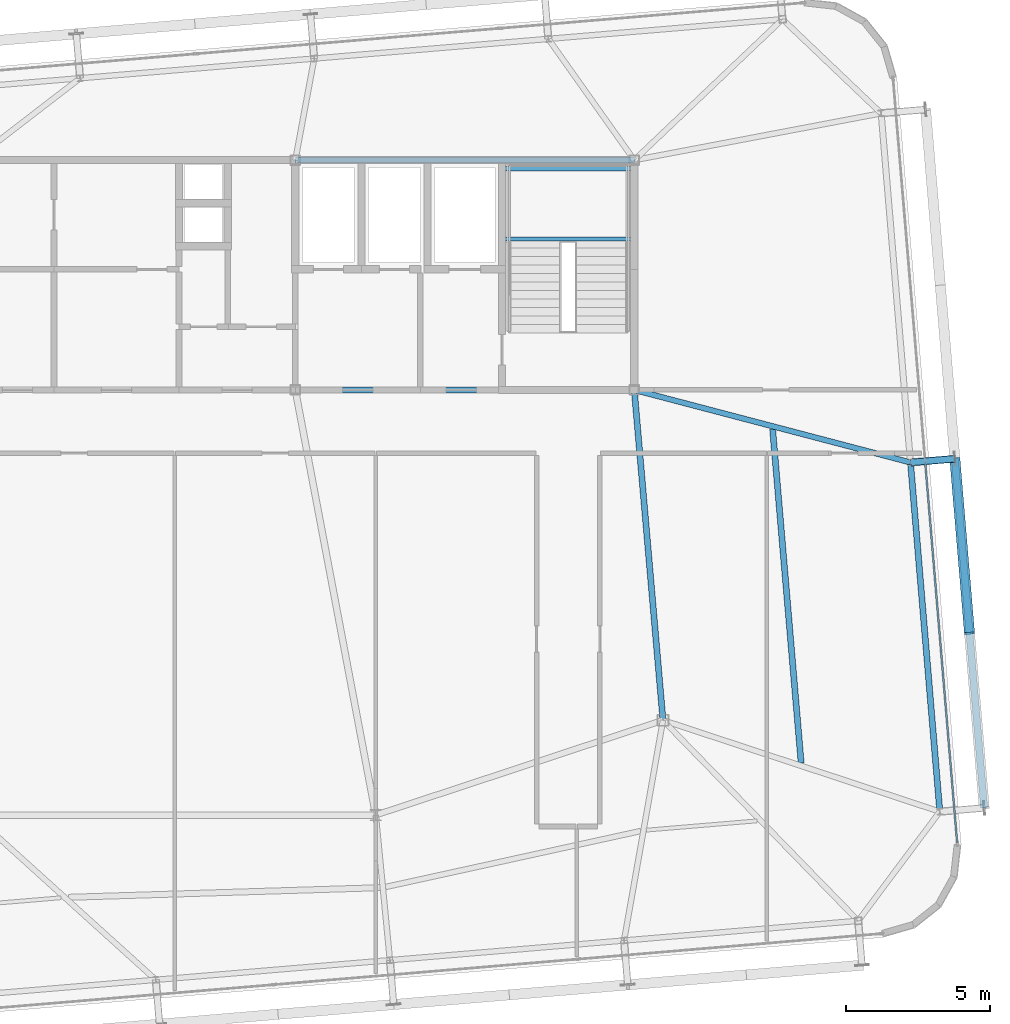
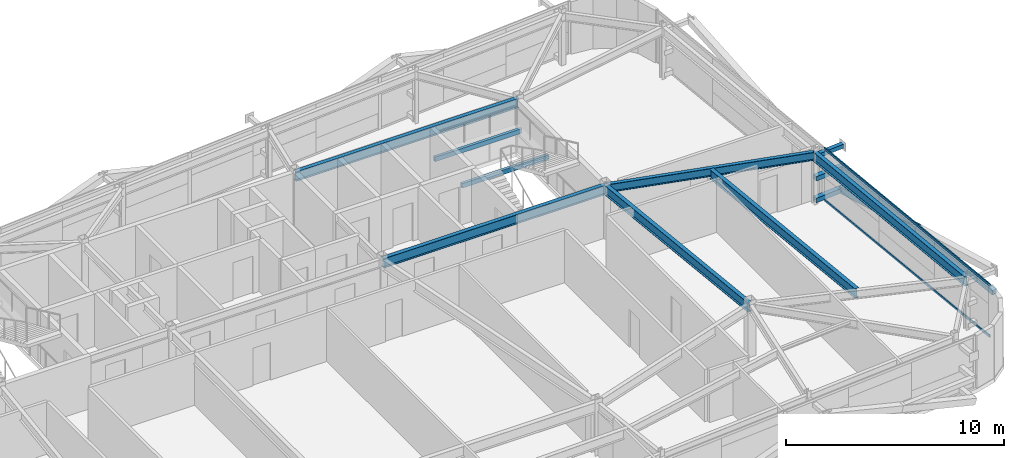
# One storey, part 19 of 37: 8 beams, 7 members, 1 element without a shape of its own.
"""IFC4 building model written with IfcOpenShell, lengths in metres."""

from ifc_helpers import new_model, si_unit, direction, frame, origin, origin_2d, place, context, subcontext, project, spatial, hollow_rectangle, i_section, extrude, source, transform, mapped, material, layer, layer_set, material_profile, profile_set, type_object, element, aggregate, save


model = new_model("IFC4")

# Units and contexts
model_context = context("Model", 3, precision=1e-05, world=origin(), true_north=direction((0.0, 1.0)))
body_context = subcontext(model_context, "Body", "Model", "MODEL_VIEW")
ifc_project = project(units=[si_unit("LENGTHUNIT", "METRE"), si_unit("AREAUNIT", "SQUARE_METRE"), si_unit("VOLUMEUNIT", "CUBIC_METRE"), si_unit("PLANEANGLEUNIT", "RADIAN"), si_unit("MASSUNIT", "GRAM", prefix="KILO")], contexts=[model_context])

# Site, building, storey
site_placement = place(None, origin())
site = spatial("IfcSite", under=ifc_project, at=site_placement, CompositionType="ELEMENT")
building_placement = place(site_placement, origin())
building = spatial("IfcBuilding", under=site, at=building_placement, Name="Taldren Reach Tower", CompositionType="ELEMENT")
storey_placement = place(building_placement, frame((0.0, 0.0, 182.0)))
storey = spatial("IfcBuildingStorey", under=building, at=storey_placement, Name="L55", CompositionType="ELEMENT", Elevation=182.0)

# Beams
ifc_material_1 = material(Name="Steel Gr 350 (350PLUS)", Category="steel")
ifc_material_profile_1 = material_profile(ifc_material_1, i_section(OverallWidth=0.208984375, OverallDepth=0.532958984375, WebThickness=0.01025390625, FlangeThickness=0.015625, at=origin_2d()), Name="530UB92.4")
ifc_profile_set_1 = profile_set([ifc_material_profile_1], Name="Steel Gr 350 (350PLUS)")
beam_type_1 = type_object("IfcBeamType", Name="BM-UB530A", PredefinedType="BEAM", material=ifc_profile_set_1)
shared_shape_1 = source(origin(), body_context, "Body", "SweptSolid", [
    extrude(i_section(OverallWidth=0.208984375, OverallDepth=0.532958984375, WebThickness=0.01025390625, FlangeThickness=0.015625, at=origin_2d()), origin(), (0.0, 0.0, 1.0), 11.800048828125),
])
for number, where, z_axis, x_axis, name in (
    (1, (39.199951171875, 24.0, 2.66357421875), (1.0, 0.0, 0.0), (0.0, 1.0, 0.0), "Core-spine girder L55-SP03"),
    (2, (39.199951171875, 32.0, 2.66357421875), (1.0, 0.0, 0.0), (0.0, 1.0, 0.0), "Core-spine girder L55-SP06"),
):
    element("IfcBeam", number, at=place(storey_placement, frame(where, z_axis=z_axis, x_axis=x_axis)), inside=storey, type_object=beam_type_1, Name=name, PredefinedType="BEAM", context=body_context, shape_type="MappedRepresentation", body=[
        mapped(shared_shape_1, transform((0.0, 0.0, 0.0), scale=1.0)),
    ])
shared_shape_2 = source(origin(), body_context, "Body", "SweptSolid", [
    extrude(i_section(OverallWidth=0.208984375, OverallDepth=0.532958984375, WebThickness=0.01025390625, FlangeThickness=0.015625, at=origin_2d()), origin(), (0.0, 0.0, 1.0), 11.54345703125),
])
beam_1_placement = place(storey_placement, frame((52.0, 12.5, 2.66357421875), z_axis=(-0.086629616365, 0.996240588196, 0.0), x_axis=(-0.996240588196, -0.086629616365, 0.0)))
element("IfcBeam", 3, at=beam_1_placement, inside=storey, type_object=beam_type_1, Name="Core-spine girder L55-SP13", PredefinedType="BEAM", context=body_context, shape_type="MappedRepresentation", body=[
    mapped(shared_shape_2, transform((0.0, 0.0, 0.0), scale=1.0)),
])
ifc_material_profile_2 = material_profile(ifc_material_1, i_section(OverallWidth=0.208984375, OverallDepth=0.528076171875, WebThickness=0.009521484375, FlangeThickness=0.01318359375, at=origin_2d()), Name="530UB82.0")
ifc_profile_set_2 = profile_set([ifc_material_profile_2], Name="Steel Gr 350 (350PLUS)")
beam_type_2 = type_object("IfcBeamType", Name="SP-UB530B", PredefinedType="SPANDREL", material=ifc_profile_set_2)
shared_shape_3 = source(origin(), body_context, "Body", "SweptSolid", [
    extrude(i_section(OverallWidth=0.208984375, OverallDepth=0.528076171875, WebThickness=0.009521484375, FlangeThickness=0.01318359375, at=origin_2d()), origin(), (0.0, 0.0, 1.0), 12.199951171875),
])
beam_2_placement = place(storey_placement, frame((61.63818359375, 9.317626953125, 2.666015625), z_axis=(-0.083688038336, 0.996492003099, 0.0), x_axis=(-0.996492003099, -0.083688038336, 0.0)))
element("IfcBeam", 4, at=beam_2_placement, inside=storey, type_object=beam_type_2, Name="Perimeter spandrel B4 E1-E2 L55", PredefinedType="SPANDREL", context=body_context, shape_type="MappedRepresentation", body=[
    mapped(shared_shape_3, transform((0.0, 0.0, 0.0), scale=1.0)),
])
ifc_material_profile_3 = material_profile(ifc_material_1, i_section(OverallWidth=0.19091796875, OverallDepth=0.4599609375, WebThickness=0.010009765625, FlangeThickness=0.01611328125, at=origin_2d()), Name="460UB82.1")
ifc_profile_set_3 = profile_set([ifc_material_profile_3], Name="Steel Gr 350 (350PLUS)")
beam_type_3 = type_object("IfcBeamType", Name="BM-UB460A", PredefinedType="BEAM", material=ifc_profile_set_3)
shared_shape_4 = source(origin(), body_context, "Body", "SweptSolid", [
    extrude(i_section(OverallWidth=0.19091796875, OverallDepth=0.4599609375, WebThickness=0.010009765625, FlangeThickness=0.01611328125, at=origin_2d()), origin(), (0.0, 0.0, 1.0), 9.943115234375),
])
beam_3_placement = place(storey_placement, frame((51.0, 24.0, 2.699951171875), z_axis=(0.967215285987, -0.253957851923, 0.0), x_axis=(0.253957851923, 0.967215285987, 0.0)))
element("IfcBeam", 5, at=beam_3_placement, inside=storey, type_object=beam_type_3, Name="Primary floor girder B4-E2 L55", PredefinedType="BEAM", context=body_context, shape_type="MappedRepresentation", body=[
    mapped(shared_shape_4, transform((0.0, 0.0, 0.0), scale=1.0)),
])
shared_shape_5 = source(origin(), body_context, "Body", "SweptSolid", [
    extrude(i_section(OverallWidth=0.208984375, OverallDepth=0.532958984375, WebThickness=0.01025390625, FlangeThickness=0.015625, at=origin_2d()), origin(), (0.0, 0.0, 1.0), 11.66650390625),
])
beam_4_placement = place(storey_placement, frame((56.810302734375, 11.01220703125, 2.66357421875), z_axis=(-0.085128704566, 0.996369963246, 0.0), x_axis=(-0.996369963246, -0.085128704566, 0.0)))
element("IfcBeam", 6, at=beam_4_placement, inside=storey, type_object=beam_type_1, Name="Secondary floor beam B4 J7 L55", PredefinedType="BEAM", context=body_context, shape_type="MappedRepresentation", body=[
    mapped(shared_shape_5, transform((0.0, 0.0, 0.0), scale=1.0)),
])

# Members
ifc_material_2 = material(Name="Steel Gr 450 (C450L0)", Category="steel")
ifc_material_profile_4 = material_profile(ifc_material_2, hollow_rectangle(XDim=0.219970703125, YDim=0.219970703125, WallThickness=0.00830078125, at=origin_2d()), Name="220x220x8.2SHS")
ifc_profile_set_4 = profile_set([ifc_material_profile_4], Name="Steel Gr 450 (C450L0)")
member_type_1 = type_object("IfcMemberType", Name="MB-TIE219", PredefinedType="STRUT", material=ifc_profile_set_4)
shared_shape_6 = source(origin(), body_context, "Body", "SweptSolid", [
    extrude(hollow_rectangle(XDim=0.219970703125, YDim=0.219970703125, WallThickness=0.00830078125, at=origin_2d()), origin(), (0.0, 0.0, 1.0), 1.54541015625),
])
member_1_placement = place(storey_placement, frame((60.621826171875, 21.47509765625, 2.64990234375), z_axis=(0.99648887425, 0.083725285883, 0.0), x_axis=(-0.083725285883, 0.99648887425, 0.0)))
element("IfcMember", 7, at=member_1_placement, inside=storey, type_object=member_type_1, Name="Exoskeleton diaphragm tie strut B4-E2 L55", PredefinedType="STRUT", context=body_context, shape_type="MappedRepresentation", body=[
    mapped(shared_shape_6, transform((0.0, 0.0, 0.0), scale=1.0)),
])
ifc_material_3 = material(Name="Steel Gr 350 (C350L0)", Category="steel")
ifc_material_profile_5 = material_profile(ifc_material_3, hollow_rectangle(XDim=0.25, YDim=0.25, WallThickness=0.010009765625, at=origin_2d()), Name="250x250x10.0SHS")
ifc_profile_set_5 = profile_set([ifc_material_profile_5], Name="Steel Gr 350 (C350L0)")
member_type_2 = type_object("IfcMemberType", Name="MB-POST250", PredefinedType="POST", material=ifc_profile_set_5)
shared_shape_7 = source(origin(), body_context, "Body", "SweptSolid", [
    extrude(hollow_rectangle(XDim=0.25, YDim=0.25, WallThickness=0.010009765625, at=origin_2d()), origin(), (0.0, 0.0, 1.0), 12.199951171875),
])
member_2_placement = place(storey_placement, frame((63.1826171875, 9.447265625, 1.43505859375), z_axis=(-0.083668166953, 0.99649367175, 0.0), x_axis=(-0.99649367175, -0.083668166953, 0.0)))
element("IfcMember", 8, at=member_2_placement, inside=storey, type_object=member_type_2, Name="Exoskeleton mid-height ring chord B4-E1 L55", PredefinedType="POST", context=body_context, shape_type="MappedRepresentation", body=[
    mapped(shared_shape_7, transform((0.0, 0.0, 0.0), scale=1.0)),
])
shared_shape_8 = source(origin(), body_context, "Body", "SweptSolid", [
    extrude(hollow_rectangle(XDim=0.25, YDim=0.25, WallThickness=0.010009765625, at=origin_2d()), origin(), (0.0, 0.0, 1.0), 1.54541015625),
])
for number, where, z_axis, x_axis, name in (
    (9, (60.621826171875, 21.47509765625, 0.219970703125), (0.99648887425, 0.083725285883, 0.0), (-0.083725285883, 0.99648887425, 0.0), "Exoskeleton base diaphragm tie strut B4-E2 L55"),
    (10, (60.621826171875, 21.47509765625, 1.43505859375), (0.99648887425, 0.083725285883, 0.0), (-0.083725285883, 0.99648887425, 0.0), "Exoskeleton mid-tier diaphragm tie B4-E2 L55"),
):
    element("IfcMember", number, at=place(storey_placement, frame(where, z_axis=z_axis, x_axis=x_axis)), inside=storey, type_object=member_type_2, Name=name, PredefinedType="POST", context=body_context, shape_type="MappedRepresentation", body=[
        mapped(shared_shape_8, transform((0.0, 0.0, 0.0), scale=1.0)),
    ])
ifc_material_profile_6 = material_profile(ifc_material_2, hollow_rectangle(XDim=0.360107421875, YDim=0.360107421875, WallThickness=0.0126953125, at=origin_2d()), Name="360x360x12.7SHS")
ifc_profile_set_6 = profile_set([ifc_material_profile_6], Name="Steel Gr 450 (C450L0)")
member_type_3 = type_object("IfcMemberType", Name="MB-EXO356", PredefinedType="BRACE", material=ifc_profile_set_6)
shared_shape_9 = source(origin(), body_context, "Body", "SweptSolid", [
    extrude(hollow_rectangle(XDim=0.360107421875, YDim=0.360107421875, WallThickness=0.0126953125, at=origin_2d()), origin(), (0.0, 0.0, 1.0), 6.2197265625),
])
member_3_placement = place(storey_placement, frame((62.161865234375, 21.6044921875, 0.219970703125), z_axis=(0.082036577282, -0.977295072332, 0.195356959394), x_axis=(0.996495340012, 0.08364829547, 0.0)))
element("IfcMember", 11, at=member_3_placement, inside=storey, type_object=member_type_3, Name="Exoskeleton Diagrid Brace B4-E1 L55", PredefinedType="BRACE", context=body_context, shape_type="MappedRepresentation", body=[
    mapped(shared_shape_9, transform((0.0, 0.0, 0.0), scale=1.0)),
])

# Curtain wall, members
ifc_material_4 = material(Name="Aluminium and Low-E Glass Unitised System", Category="aluminium")
ifc_layer = layer(ifc_material_4, 0.159912109375)
ifc_layer_set = layer_set([ifc_layer], Name="Aluminium and Low-E Glass Unitised System")
curtain_wall_type = type_object("IfcCurtainWallType", Name="CW-SYS-5", PredefinedType="NOTDEFINED", material=ifc_layer_set)
curtain_wall_placement = place(storey_placement, origin())
curtain_wall = element("IfcCurtainWall", 12, at=curtain_wall_placement, inside=storey, type_object=curtain_wall_type, Name="Unitised curtain wall CW-L55-E", PredefinedType="NOTDEFINED")
ifc_material_5 = material(Name="Anodised Aluminium 6063-T6", Category="aluminium")
ifc_material_profile_7 = material_profile(ifc_material_5, hollow_rectangle(XDim=0.06005859375, YDim=0.135009765625, WallThickness=0.00341796875, at=origin_2d()), Name="ALU-135x60x3.5RHS")
ifc_profile_set_7 = profile_set([ifc_material_profile_7], Name="Anodised Aluminium 6063-T6")
member_type_4 = type_object("IfcMemberType", Name="CW-TRN-150", PredefinedType="USERDEFINED", material=ifc_profile_set_7)
shared_shape_10 = source(origin(), body_context, "Body", "SweptSolid", [
    extrude(hollow_rectangle(XDim=0.06005859375, YDim=0.135009765625, WallThickness=0.00341796875, at=origin_2d()), origin(), (0.0, 0.0, 1.0), 13.295166015625),
])
member_4_placement = place(storey_placement, frame((62.240966796875, 8.234130859375, 0.030029296875), z_axis=(-0.083680700004, 0.996492619364, 0.0), x_axis=(-0.996492619364, -0.083680700004, 0.0)))
member_4 = element("IfcMember", 13, at=member_4_placement, type_object=member_type_4, Name="CW-5 transom 1.1", ObjectType="TRANSOM", PredefinedType="USERDEFINED", context=body_context, shape_type="MappedRepresentation", body=[
    mapped(shared_shape_10, transform((0.0, 0.0, 0.0), scale=1.0)),
])
member_5_placement = place(storey_placement, frame((62.240966796875, 8.234130859375, 2.89990234375), z_axis=(-0.083680700004, 0.996492619364, 0.0), x_axis=(-0.996492619364, -0.083680700004, 0.0)))
member_5 = element("IfcMember", 14, at=member_5_placement, type_object=member_type_4, Name="CW-5 transom 1.2", ObjectType="TRANSOM", PredefinedType="USERDEFINED", context=body_context, shape_type="MappedRepresentation", body=[
    mapped(shared_shape_10, transform((0.0, 0.0, 0.0), scale=1.0)),
])
aggregate(curtain_wall, [member_4, member_5])

# Beams
ifc_material_profile_8 = material_profile(ifc_material_3, hollow_rectangle(XDim=0.14990234375, YDim=0.25, WallThickness=0.009033203125, at=origin_2d()), Name="250x150x9.0RHS")
ifc_profile_set_8 = profile_set([ifc_material_profile_8], Name="Steel Gr 350 (C350L0)")
beam_type_4 = type_object("IfcBeamType", Name="LN-RHS250", PredefinedType="LINTEL", material=ifc_profile_set_8)
shared_shape_11 = source(origin(), body_context, "Body", "SweptSolid", [
    extrude(hollow_rectangle(XDim=0.14990234375, YDim=0.25, WallThickness=0.009033203125, at=origin_2d()), origin(), (0.0, 0.0, 1.0), 4.60009765625),
])
for number, where, z_axis, x_axis, name in (
    (15, (46.39990234375, 29.2548828125, 1.27001953125), (1.0, 0.0, 0.0), (0.0, 1.0, 0.0), "Stair half-landing support beam ST2-L55-1"),
    (16, (46.39990234375, 31.699951171875, 1.27001953125), (1.0, 0.0, 0.0), (0.0, 1.0, 0.0), "Stair half-landing support beam ST2-L55-2"),
):
    element("IfcBeam", number, at=place(storey_placement, frame(where, z_axis=z_axis, x_axis=x_axis)), inside=storey, type_object=beam_type_4, Name=name, PredefinedType="LINTEL", context=body_context, shape_type="MappedRepresentation", body=[
        mapped(shared_shape_11, transform((0.0, 0.0, 0.0), scale=1.0)),
    ])

save(model, "model.ifc")
